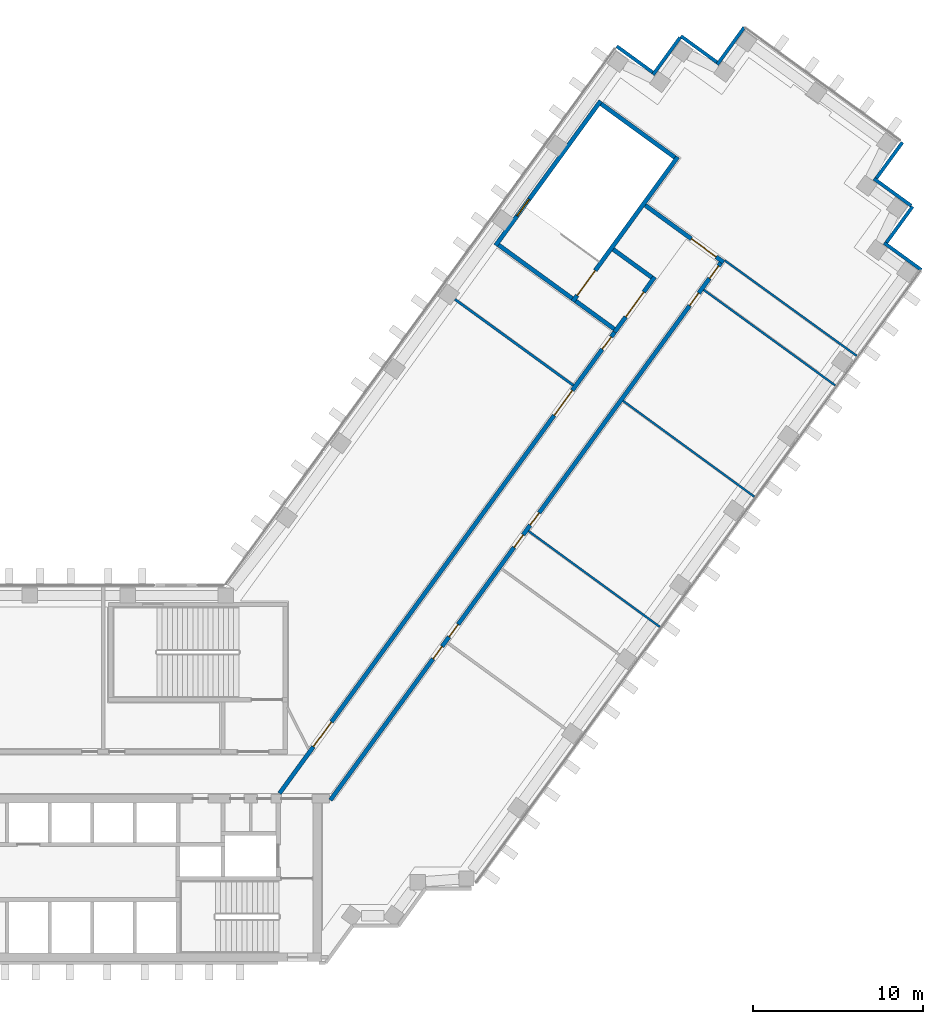
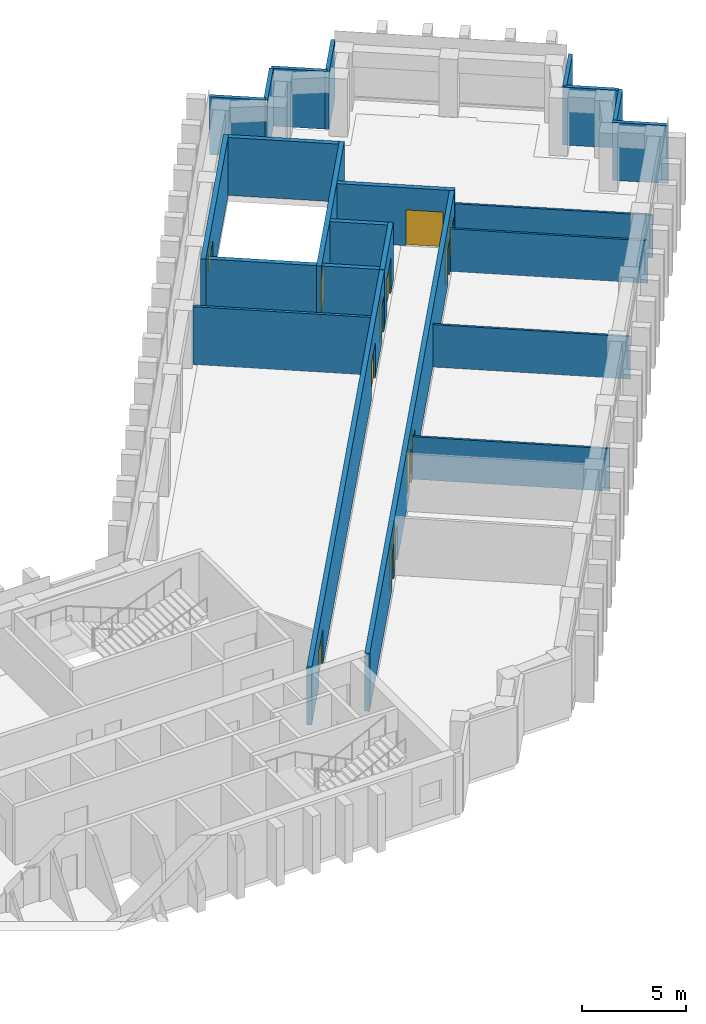
# One storey, part 8 of 12: 23 walls, 12 doors, 1 window, 13 openings.
"""IFC4 building model written with IfcOpenShell, lengths in metres."""

from ifc_helpers import new_model, si_unit, direction, frame, frame_2d, origin, place, context, subcontext, project, spatial, rectangle, extrude, material, layer, layer_set, type_object, element, fill, save


model = new_model("IFC4")

# Units and contexts
model_context = context("Model", 3, precision=1e-05, world=origin(), true_north=direction((0.0, 1.0)))
body_context = subcontext(model_context, "Body", "Model", "MODEL_VIEW")
ifc_project = project(units=[si_unit("LENGTHUNIT", "METRE"), si_unit("AREAUNIT", "SQUARE_METRE"), si_unit("VOLUMEUNIT", "CUBIC_METRE"), si_unit("PLANEANGLEUNIT", "RADIAN"), si_unit("MASSUNIT", "GRAM", prefix="KILO")], contexts=[model_context])

# Site, building, storey
site_placement = place(None, origin())
site = spatial("IfcSite", under=ifc_project, at=site_placement, CompositionType="ELEMENT")
building_placement = place(site_placement, origin())
building = spatial("IfcBuilding", under=site, at=building_placement, Name="Quipu Civic Tower", CompositionType="ELEMENT")
storey_placement = place(building_placement, frame((0.0, 0.0, 75.0)))
storey = spatial("IfcBuildingStorey", under=building, at=storey_placement, Name="L17", CompositionType="ELEMENT", Elevation=75.0)

# Wall
ifc_material_1 = material(Name="Double gypsum plasterboard with mineral wool")
ifc_layer_1 = layer(ifc_material_1, 0.14990234375)
ifc_layer_set_1 = layer_set([ifc_layer_1], Name="Double gypsum plasterboard with mineral wool")
wall_type_1 = type_object("IfcWallType", Name="Acoustic partition 150 plasterboard", PredefinedType="PARTITIONING", material=ifc_layer_set_1)
wall_1_placement = place(storey_placement, frame((34.80615234375, 22.8447265625, 0.0), z_axis=(0.0, 0.0, 1.0), x_axis=(-0.809030728677, 0.587766348183, 0.0)))
element("IfcWall", 1, at=wall_1_placement, inside=storey, type_object=wall_type_1, Name="Partition P10", PredefinedType="PARTITIONING", context=body_context, shape_type="SweptSolid", body=[
    extrude(rectangle(XDim=8.596435546875, YDim=0.14990234375, at=frame_2d((4.29833984375, 0.0))), origin(), (0.0, 0.0, 1.0), 3.39990234375),
])

# Wall, opening, door
ifc_material_2 = material(Name="Concrete C70/85", Category="concrete")
ifc_layer_2 = layer(ifc_material_2, 0.25)
ifc_layer_set_2 = layer_set([ifc_layer_2], Name="Concrete C70/85")
wall_type_2 = type_object("IfcWallType", Name="Core wall 250", PredefinedType="SHEAR", material=ifc_layer_set_2)
wall_2_placement = place(storey_placement, frame((37.237548828125, 25.979736328125, 0.0), z_axis=(0.0, 0.0, 1.0), x_axis=(0.587772420479, 0.809026317077, 0.0)))
wall_2 = element("IfcWall", 2, at=wall_2_placement, inside=storey, type_object=wall_type_2, Name="Core wall", PredefinedType="SHEAR", context=body_context, shape_type="SweptSolid", body=[
    extrude(rectangle(XDim=4.0, YDim=0.25, at=frame_2d((2.0, 0.0))), origin(), (0.0, 0.0, 1.0), 3.39990234375),
])
opening_1_placement = place(wall_2_placement, frame((1.10009765625, 0.0, 0.0)))
opening_1 = element("IfcOpeningElement", 3, at=opening_1_placement, cuts=wall_2, Name="Opening CD-21", PredefinedType="OPENING", context=body_context, shape_type="SweptSolid", body=[
    extrude(rectangle(XDim=1.800048828125, YDim=2.10009765625, at=frame_2d((0.89990234375, 1.050048828125))), frame((0.0, 0.135009765625, 0.0), z_axis=(0.0, -1.0, 0.0), x_axis=(1.0, 0.0, 0.0)), (0.0, 0.0, 1.0), 0.27001953125),
])
ifc_material_3 = material(Name="Fire rated steel door", Category="steel")
door_type_1 = type_object("IfcDoorType", Name="Fire door FD90 double 1800 x 2100", OperationType="NOTDEFINED", PredefinedType="DOOR", material=ifc_material_3)
door_1_placement = place(opening_1_placement, origin())
door_1 = element("IfcDoor", 4, at=door_1_placement, inside=storey, type_object=door_type_1, Name="Lobby door", OperationType="DOUBLE_DOOR_SINGLE_SWING", OverallHeight=2.10009765625, OverallWidth=1.800048828125, PredefinedType="DOOR", context=body_context, shape_type="SweptSolid", body=[
    extrude(rectangle(XDim=1.800048828125, YDim=2.10009765625, at=frame_2d((0.89990234375, 1.050048828125))), frame((0.0, 0.02490234375, 0.0), z_axis=(0.0, -1.0, 0.0), x_axis=(1.0, 0.0, 0.0)), (0.0, 0.0, 1.0), 0.050048828125),
])
fill(opening_1, door_1)

# Walls
for number, where, z_axis, x_axis, name in (
    (5, (37.2099609375, 26.154296875, 0.0), (0.0, 0.0, 1.0), (-0.809041377956, 0.587751689708, 0.0), "Core wall"),
    (6, (39.4140625, 29.18798828125, 0.0), (0.0, 0.0, 1.0), (-0.808969789945, 0.58785021813, 0.0), "Core wall"),
):
    element("IfcWall", number, at=place(storey_placement, frame(where, z_axis=z_axis, x_axis=x_axis)), inside=storey, type_object=wall_type_2, Name=name, PredefinedType="SHEAR", context=body_context, shape_type="SweptSolid", body=[
        extrude(rectangle(XDim=2.800048828125, YDim=0.25, at=frame_2d((1.39990234375, 0.0))), origin(), (0.0, 0.0, 1.0), 3.39990234375),
    ])

# Wall, opening, door
wall_3_placement = place(storey_placement, frame((34.77001953125, 27.7724609375, 0.0), z_axis=(0.0, 0.0, 1.0), x_axis=(0.587795589702, 0.809009483706, 0.0)))
wall_3 = element("IfcWall", 7, at=wall_3_placement, inside=storey, type_object=wall_type_2, Name="Core wall", PredefinedType="SHEAR", context=body_context, shape_type="SweptSolid", body=[
    extrude(rectangle(XDim=10.5, YDim=0.25, at=frame_2d((5.25, 0.0))), origin(), (0.0, 0.0, 1.0), 3.39990234375),
])
opening_2_placement = place(wall_3_placement, frame((0.449951171875, 0.0, 0.0)))
opening_2 = element("IfcOpeningElement", 8, at=opening_2_placement, cuts=wall_3, Name="Opening CD-22", PredefinedType="OPENING", context=body_context, shape_type="SweptSolid", body=[
    extrude(rectangle(XDim=1.800048828125, YDim=2.10009765625, at=frame_2d((0.89990234375, 1.050048828125))), frame((0.0, 0.135009765625, 0.0), z_axis=(0.0, -1.0, 0.0), x_axis=(1.0, 0.0, 0.0)), (0.0, 0.0, 1.0), 0.27001953125),
])
door_2_placement = place(opening_2_placement, origin())
door_2 = element("IfcDoor", 9, at=door_2_placement, inside=storey, type_object=door_type_1, Name="Door", OperationType="DOUBLE_DOOR_SINGLE_SWING", OverallHeight=2.10009765625, OverallWidth=1.800048828125, PredefinedType="DOOR", context=body_context, shape_type="SweptSolid", body=[
    extrude(rectangle(XDim=1.800048828125, YDim=2.10009765625, at=frame_2d((0.89990234375, 1.050048828125))), frame((0.0, 0.02490234375, 0.0), z_axis=(0.0, -1.0, 0.0), x_axis=(1.0, 0.0, 0.0)), (0.0, 0.0, 1.0), 0.050048828125),
])
fill(opening_2, door_2)

# Walls
wall_4_placement = place(storey_placement, frame((34.742431640625, 27.947021484375, 0.0), z_axis=(0.0, 0.0, 1.0), x_axis=(-0.8089984606, 0.587810760999, 0.0)))
element("IfcWall", 10, at=wall_4_placement, inside=storey, type_object=wall_type_2, Name="Core wall", PredefinedType="SHEAR", context=body_context, shape_type="SweptSolid", body=[
    extrude(rectangle(XDim=5.35009765625, YDim=0.25, at=frame_2d((2.675048828125, 0.0))), origin(), (0.0, 0.0, 1.0), 3.39990234375),
])
wall_5_placement = place(storey_placement, frame((40.76708984375, 36.239501953125, 0.0), z_axis=(0.0, 0.0, 1.0), x_axis=(-0.809020161303, 0.587780893365, 0.0)))
element("IfcWall", 11, at=wall_5_placement, inside=storey, type_object=wall_type_2, Name="Core wall", PredefinedType="SHEAR", context=body_context, shape_type="SweptSolid", body=[
    extrude(rectangle(XDim=5.349853515625, YDim=0.25, at=frame_2d((2.6748046875, 0.0))), origin(), (0.0, 0.0, 1.0), 3.39990234375),
])

# Wall, opening, window
wall_6_placement = place(storey_placement, frame((30.239501953125, 31.06396484375, 0.0), z_axis=(0.0, 0.0, 1.0), x_axis=(0.587795589702, 0.809009483706, 0.0)))
wall_6 = element("IfcWall", 12, at=wall_6_placement, inside=storey, type_object=wall_type_2, Name="Core wall", PredefinedType="SHEAR", context=body_context, shape_type="SweptSolid", body=[
    extrude(rectangle(XDim=10.5, YDim=0.25, at=frame_2d((5.25, 0.0))), origin(), (0.0, 0.0, 1.0), 3.39990234375),
])
opening_3_placement = place(wall_6_placement, frame((2.14990234375, 0.0, 1.0)))
opening_3 = element("IfcOpeningElement", 13, at=opening_3_placement, cuts=wall_6, Name="Opening SV-7", PredefinedType="OPENING", context=body_context, shape_type="SweptSolid", body=[
    extrude(rectangle(XDim=1.199951171875, YDim=1.199951171875, at=frame_2d((0.60009765625, 0.60009765625))), frame((0.0, 0.135009765625, 0.0), z_axis=(0.0, -1.0, 0.0), x_axis=(1.0, 0.0, 0.0)), (0.0, 0.0, 1.0), 0.27001953125),
])
ifc_material_4 = material(Name="Aluminium louvre", Category="aluminium")
window_type = type_object("IfcWindowType", Name="Stair ventilation louvre 1200 x 1200", PartitioningType="SINGLE_PANEL", PredefinedType="WINDOW", material=ifc_material_4)
window_placement = place(opening_3_placement, origin())
window = element("IfcWindow", 14, at=window_placement, inside=storey, type_object=window_type, Name="Stair ventilation opening", OverallHeight=1.199951171875, OverallWidth=1.199951171875, PartitioningType="SINGLE_PANEL", PredefinedType="WINDOW", context=body_context, shape_type="SweptSolid", body=[
    extrude(rectangle(XDim=1.199951171875, YDim=1.199951171875, at=frame_2d((0.60009765625, 0.60009765625))), frame((0.0, 0.030029296875, 0.0), z_axis=(0.0, -1.0, 0.0), x_axis=(1.0, 0.0, 0.0)), (0.0, 0.0, 1.0), 0.06005859375),
])
fill(opening_3, window)

# Wall, openings, doors
ifc_material_5 = material(Name="Concrete C50/60", Category="concrete")
ifc_layer_3 = layer(ifc_material_5, 0.25)
ifc_layer_set_3 = layer_set([ifc_layer_3], Name="Concrete C50/60")
wall_type_3 = type_object("IfcWallType", Name="Corridor wall 250 concrete", PredefinedType="SOLIDWALL", material=ifc_layer_set_3)
wall_7_placement = place(storey_placement, frame((17.544921875, -1.124755859375, 0.0), z_axis=(0.0, 0.0, 1.0), x_axis=(0.587786323093, 0.809016216391, 0.0)))
wall_7 = element("IfcWall", 15, at=wall_7_placement, inside=storey, type_object=wall_type_3, Name="Corridor wall C06", PredefinedType="SOLIDWALL", context=body_context, shape_type="SweptSolid", body=[
    extrude(rectangle(XDim=33.4931640625, YDim=0.25, at=frame_2d((16.74658203125, 0.0))), origin(), (0.0, 0.0, 1.0), 3.39990234375),
])
opening_4_placement = place(wall_7_placement, frame((27.4580078125, 0.0, 0.0)))
opening_4 = element("IfcOpeningElement", 16, at=opening_4_placement, cuts=wall_7, Name="Opening D001", PredefinedType="OPENING", context=body_context, shape_type="SweptSolid", body=[
    extrude(rectangle(XDim=1.800048828125, YDim=2.10009765625, at=frame_2d((0.89990234375, 1.050048828125))), frame((0.0, 0.135009765625, 0.0), z_axis=(0.0, -1.0, 0.0), x_axis=(1.0, 0.0, 0.0)), (0.0, 0.0, 1.0), 0.27001953125),
])
opening_5_placement = place(wall_7_placement, frame((3.39208984375, 0.0, 0.0)))
opening_5 = element("IfcOpeningElement", 17, at=opening_5_placement, cuts=wall_7, Name="Opening D002", PredefinedType="OPENING", context=body_context, shape_type="SweptSolid", body=[
    extrude(rectangle(XDim=1.800048828125, YDim=2.10009765625, at=frame_2d((0.89990234375, 1.050048828125))), frame((0.0, 0.135009765625, 0.0), z_axis=(0.0, -1.0, 0.0), x_axis=(1.0, 0.0, 0.0)), (0.0, 0.0, 1.0), 0.27001953125),
])
opening_6_placement = place(wall_7_placement, frame((32.2529296875, 0.0, 0.0)))
opening_6 = element("IfcOpeningElement", 18, at=opening_6_placement, cuts=wall_7, Name="Opening D003", PredefinedType="OPENING", context=body_context, shape_type="SweptSolid", body=[
    extrude(rectangle(XDim=0.89990234375, YDim=2.10009765625, at=frame_2d((0.449951171875, 1.050048828125))), frame((0.0, 0.135009765625, 0.0), z_axis=(0.0, -1.0, 0.0), x_axis=(1.0, 0.0, 0.0)), (0.0, 0.0, 1.0), 0.27001953125),
])
ifc_material_6 = material(Name="Fire rated timber door set with metal frame", Category="wood")
door_type_2 = type_object("IfcDoorType", Name="Double door 1800 x 2100 FD60", OperationType="DOUBLE_DOOR_SINGLE_SWING", PredefinedType="DOOR", material=ifc_material_6)
door_3_placement = place(opening_4_placement, origin())
door_3 = element("IfcDoor", 19, at=door_3_placement, inside=storey, type_object=door_type_2, Name="Door D001", OperationType="DOUBLE_DOOR_SINGLE_SWING", OverallHeight=2.10009765625, OverallWidth=1.800048828125, PredefinedType="DOOR", context=body_context, shape_type="SweptSolid", body=[
    extrude(rectangle(XDim=1.800048828125, YDim=2.10009765625, at=frame_2d((0.89990234375, 1.050048828125))), frame((0.0, 0.02490234375, 0.0), z_axis=(0.0, -1.0, 0.0), x_axis=(1.0, 0.0, 0.0)), (0.0, 0.0, 1.0), 0.050048828125),
])
fill(opening_4, door_3)
door_4_placement = place(opening_5_placement, origin())
door_4 = element("IfcDoor", 20, at=door_4_placement, inside=storey, type_object=door_type_2, Name="Door D002", OperationType="DOUBLE_DOOR_SINGLE_SWING", OverallHeight=2.10009765625, OverallWidth=1.800048828125, PredefinedType="DOOR", context=body_context, shape_type="SweptSolid", body=[
    extrude(rectangle(XDim=1.800048828125, YDim=2.10009765625, at=frame_2d((0.89990234375, 1.050048828125))), frame((0.0, 0.02490234375, 0.0), z_axis=(0.0, -1.0, 0.0), x_axis=(1.0, 0.0, 0.0)), (0.0, 0.0, 1.0), 0.050048828125),
])
fill(opening_5, door_4)
ifc_material_7 = material(Name="Fire rated timber door set with metal frame", Category="wood")
door_type_3 = type_object("IfcDoorType", Name="Single door 900 x 2100 FD60", OperationType="NOTDEFINED", PredefinedType="DOOR", material=ifc_material_7)
door_5_placement = place(opening_6_placement, origin())
door_5 = element("IfcDoor", 21, at=door_5_placement, inside=storey, type_object=door_type_3, Name="Door D003", OperationType="SINGLE_SWING_RIGHT", OverallHeight=2.10009765625, OverallWidth=0.89990234375, PredefinedType="DOOR", context=body_context, shape_type="SweptSolid", body=[
    extrude(rectangle(XDim=0.89990234375, YDim=2.10009765625, at=frame_2d((0.449951171875, 1.050048828125))), frame((0.0, 0.02490234375, 0.0), z_axis=(0.0, -1.0, 0.0), x_axis=(1.0, 0.0, 0.0)), (0.0, 0.0, 1.0), 0.050048828125),
])
fill(opening_6, door_5)

# Wall, opening, door
wall_8_placement = place(storey_placement, frame((39.03369140625, 33.419921875, 0.0), z_axis=(0.0, 0.0, 1.0), x_axis=(0.809023325802, -0.587776537732, 0.0)))
wall_8 = element("IfcWall", 22, at=wall_8_placement, inside=storey, type_object=wall_type_3, Name="Corridor wall C07", PredefinedType="SOLIDWALL", context=body_context, shape_type="SweptSolid", body=[
    extrude(rectangle(XDim=5.695068359375, YDim=0.25, at=frame_2d((2.84765625, 0.0))), origin(), (0.0, 0.0, 1.0), 3.39990234375),
])
opening_7_placement = place(wall_8_placement, frame((3.34521484375, 0.0, 0.0)))
opening_7 = element("IfcOpeningElement", 23, at=opening_7_placement, cuts=wall_8, Name="Opening D010", PredefinedType="OPENING", context=body_context, shape_type="SweptSolid", body=[
    extrude(rectangle(XDim=1.800048828125, YDim=2.10009765625, at=frame_2d((0.89990234375, 1.050048828125))), frame((0.0, 0.135009765625, 0.0), z_axis=(0.0, -1.0, 0.0), x_axis=(1.0, 0.0, 0.0)), (0.0, 0.0, 1.0), 0.27001953125),
])
door_6_placement = place(opening_7_placement, origin())
door_6 = element("IfcDoor", 24, at=door_6_placement, inside=storey, type_object=door_type_2, Name="Door D010", OperationType="DOUBLE_DOOR_SINGLE_SWING", OverallHeight=2.10009765625, OverallWidth=1.800048828125, PredefinedType="DOOR", context=body_context, shape_type="SweptSolid", body=[
    extrude(rectangle(XDim=1.800048828125, YDim=2.10009765625, at=frame_2d((0.89990234375, 1.050048828125))), frame((0.0, 0.02490234375, 0.0), z_axis=(0.0, -1.0, 0.0), x_axis=(1.0, 0.0, 0.0)), (0.0, 0.0, 1.0), 0.050048828125),
])
fill(opening_7, door_6)

# Wall, openings, doors
wall_9_placement = place(storey_placement, frame((43.466552734375, 30.044677734375, 0.0), z_axis=(0.0, 0.0, 1.0), x_axis=(-0.587784726077, -0.809017376692, 0.0)))
wall_9 = element("IfcWall", 25, at=wall_9_placement, inside=storey, type_object=wall_type_3, Name="Corridor wall C08", PredefinedType="SOLIDWALL", context=body_context, shape_type="SweptSolid", body=[
    extrude(rectangle(XDim=39.020263671875, YDim=0.25, at=frame_2d((19.51025390625, 0.0))), origin(), (0.0, 0.0, 1.0), 3.39990234375),
])
opening_8_placement = place(wall_9_placement, frame((26.25439453125, 0.0, 0.0)))
opening_8 = element("IfcOpeningElement", 26, at=opening_8_placement, cuts=wall_9, Name="Opening D005", PredefinedType="OPENING", context=body_context, shape_type="SweptSolid", body=[
    extrude(rectangle(XDim=0.89990234375, YDim=2.10009765625, at=frame_2d((0.449951171875, 1.050048828125))), frame((0.0, 0.135009765625, 0.0), z_axis=(0.0, -1.0, 0.0), x_axis=(1.0, 0.0, 0.0)), (0.0, 0.0, 1.0), 0.27001953125),
])
opening_9_placement = place(wall_9_placement, frame((2.205322265625, 0.0, 0.0)))
opening_9 = element("IfcOpeningElement", 27, at=opening_9_placement, cuts=wall_9, Name="Opening D008", PredefinedType="OPENING", context=body_context, shape_type="SweptSolid", body=[
    extrude(rectangle(XDim=0.89990234375, YDim=2.10009765625, at=frame_2d((0.449951171875, 1.050048828125))), frame((0.0, 0.135009765625, 0.0), z_axis=(0.0, -1.0, 0.0), x_axis=(1.0, 0.0, 0.0)), (0.0, 0.0, 1.0), 0.27001953125),
])
opening_10_placement = place(wall_9_placement, frame((27.854736328125, 0.0, 0.0)))
opening_10 = element("IfcOpeningElement", 28, at=opening_10_placement, cuts=wall_9, Name="Opening D004", PredefinedType="OPENING", context=body_context, shape_type="SweptSolid", body=[
    extrude(rectangle(XDim=0.89990234375, YDim=2.10009765625, at=frame_2d((0.449951171875, 1.050048828125))), frame((0.0, 0.135009765625, 0.0), z_axis=(0.0, -1.0, 0.0), x_axis=(1.0, 0.0, 0.0)), (0.0, 0.0, 1.0), 0.27001953125),
])
opening_11_placement = place(wall_9_placement, frame((18.154541015625, 0.0, 0.0)))
opening_11 = element("IfcOpeningElement", 29, at=opening_11_placement, cuts=wall_9, Name="Opening D007", PredefinedType="OPENING", context=body_context, shape_type="SweptSolid", body=[
    extrude(rectangle(XDim=0.89990234375, YDim=2.10009765625, at=frame_2d((0.449951171875, 1.050048828125))), frame((0.0, 0.135009765625, 0.0), z_axis=(0.0, -1.0, 0.0), x_axis=(1.0, 0.0, 0.0)), (0.0, 0.0, 1.0), 0.27001953125),
])
opening_12_placement = place(wall_9_placement, frame((19.7548828125, 0.0, 0.0)))
opening_12 = element("IfcOpeningElement", 30, at=opening_12_placement, cuts=wall_9, Name="Opening D006", PredefinedType="OPENING", context=body_context, shape_type="SweptSolid", body=[
    extrude(rectangle(XDim=0.89990234375, YDim=2.10009765625, at=frame_2d((0.449951171875, 1.050048828125))), frame((0.0, 0.135009765625, 0.0), z_axis=(0.0, -1.0, 0.0), x_axis=(1.0, 0.0, 0.0)), (0.0, 0.0, 1.0), 0.27001953125),
])
opening_13_placement = place(wall_9_placement, frame((0.224365234375, 0.0, 0.0)))
opening_13 = element("IfcOpeningElement", 31, at=opening_13_placement, cuts=wall_9, Name="Opening D009", PredefinedType="OPENING", context=body_context, shape_type="SweptSolid", body=[
    extrude(rectangle(XDim=0.89990234375, YDim=2.10009765625, at=frame_2d((0.449951171875, 1.050048828125))), frame((0.0, 0.135009765625, 0.0), z_axis=(0.0, -1.0, 0.0), x_axis=(1.0, 0.0, 0.0)), (0.0, 0.0, 1.0), 0.27001953125),
])
door_7_placement = place(opening_8_placement, origin())
door_7 = element("IfcDoor", 32, at=door_7_placement, inside=storey, type_object=door_type_3, Name="Door D005", OperationType="SINGLE_SWING_RIGHT", OverallHeight=2.10009765625, OverallWidth=0.89990234375, PredefinedType="DOOR", context=body_context, shape_type="SweptSolid", body=[
    extrude(rectangle(XDim=0.89990234375, YDim=2.10009765625, at=frame_2d((0.449951171875, 1.050048828125))), frame((0.0, 0.02490234375, 0.0), z_axis=(0.0, -1.0, 0.0), x_axis=(1.0, 0.0, 0.0)), (0.0, 0.0, 1.0), 0.050048828125),
])
fill(opening_8, door_7)
door_8_placement = place(opening_9_placement, origin())
door_8 = element("IfcDoor", 33, at=door_8_placement, inside=storey, type_object=door_type_3, Name="Door D008", OperationType="SINGLE_SWING_LEFT", OverallHeight=2.10009765625, OverallWidth=0.89990234375, PredefinedType="DOOR", context=body_context, shape_type="SweptSolid", body=[
    extrude(rectangle(XDim=0.89990234375, YDim=2.10009765625, at=frame_2d((0.449951171875, 1.050048828125))), frame((0.0, 0.02490234375, 0.0), z_axis=(0.0, -1.0, 0.0), x_axis=(1.0, 0.0, 0.0)), (0.0, 0.0, 1.0), 0.050048828125),
])
fill(opening_9, door_8)
door_9_placement = place(opening_10_placement, origin())
door_9 = element("IfcDoor", 34, at=door_9_placement, inside=storey, type_object=door_type_3, Name="Door D004", OperationType="SINGLE_SWING_LEFT", OverallHeight=2.10009765625, OverallWidth=0.89990234375, PredefinedType="DOOR", context=body_context, shape_type="SweptSolid", body=[
    extrude(rectangle(XDim=0.89990234375, YDim=2.10009765625, at=frame_2d((0.449951171875, 1.050048828125))), frame((0.0, 0.02490234375, 0.0), z_axis=(0.0, -1.0, 0.0), x_axis=(1.0, 0.0, 0.0)), (0.0, 0.0, 1.0), 0.050048828125),
])
fill(opening_10, door_9)
door_10_placement = place(opening_11_placement, origin())
door_10 = element("IfcDoor", 35, at=door_10_placement, inside=storey, type_object=door_type_3, Name="Door D007", OperationType="SINGLE_SWING_RIGHT", OverallHeight=2.10009765625, OverallWidth=0.89990234375, PredefinedType="DOOR", context=body_context, shape_type="SweptSolid", body=[
    extrude(rectangle(XDim=0.89990234375, YDim=2.10009765625, at=frame_2d((0.449951171875, 1.050048828125))), frame((0.0, 0.02490234375, 0.0), z_axis=(0.0, -1.0, 0.0), x_axis=(1.0, 0.0, 0.0)), (0.0, 0.0, 1.0), 0.050048828125),
])
fill(opening_11, door_10)
door_11_placement = place(opening_12_placement, origin())
door_11 = element("IfcDoor", 36, at=door_11_placement, inside=storey, type_object=door_type_3, Name="Door D006", OperationType="SINGLE_SWING_LEFT", OverallHeight=2.10009765625, OverallWidth=0.89990234375, PredefinedType="DOOR", context=body_context, shape_type="SweptSolid", body=[
    extrude(rectangle(XDim=0.89990234375, YDim=2.10009765625, at=frame_2d((0.449951171875, 1.050048828125))), frame((0.0, 0.02490234375, 0.0), z_axis=(0.0, -1.0, 0.0), x_axis=(1.0, 0.0, 0.0)), (0.0, 0.0, 1.0), 0.050048828125),
])
fill(opening_12, door_11)
door_12_placement = place(opening_13_placement, origin())
door_12 = element("IfcDoor", 37, at=door_12_placement, inside=storey, type_object=door_type_3, Name="Door D009", OperationType="SINGLE_SWING_LEFT", OverallHeight=2.10009765625, OverallWidth=0.89990234375, PredefinedType="DOOR", context=body_context, shape_type="SweptSolid", body=[
    extrude(rectangle(XDim=0.89990234375, YDim=2.10009765625, at=frame_2d((0.449951171875, 1.050048828125))), frame((0.0, 0.02490234375, 0.0), z_axis=(0.0, -1.0, 0.0), x_axis=(1.0, 0.0, 0.0)), (0.0, 0.0, 1.0), 0.050048828125),
])
fill(opening_13, door_12)

# Walls
ifc_material_8 = material(Name="Gypsum plasterboard on light gauge framing")
ifc_layer_4 = layer(ifc_material_8, 0.1201171875)
ifc_layer_set_4 = layer_set([ifc_layer_4], Name="Gypsum plasterboard on light gauge framing")
wall_type_4 = type_object("IfcWallType", Name="Partition 120 plasterboard", PredefinedType="PARTITIONING", material=ifc_layer_set_4)
wall_10_placement = place(storey_placement, frame((37.727783203125, 21.93408203125, 0.0), z_axis=(0.0, 0.0, 1.0), x_axis=(0.807645841498, -0.589667868135, 0.0)))
element("IfcWall", 38, at=wall_10_placement, inside=storey, type_object=wall_type_4, Name="Partition P03", PredefinedType="PARTITIONING", context=body_context, shape_type="SweptSolid", body=[
    extrude(rectangle(XDim=9.550537109375, YDim=0.1201171875, at=frame_2d((4.775390625, 0.0))), origin(), (0.0, 0.0, 1.0), 2.5),
])
wall_11_placement = place(storey_placement, frame((50.19189453125, 22.84130859375, 0.0), z_axis=(0.0, 0.0, 1.0), x_axis=(-0.809033337127, 0.587762757767, 0.0)))
element("IfcWall", 39, at=wall_11_placement, inside=storey, type_object=wall_type_4, Name="Partition P04", PredefinedType="PARTITIONING", context=body_context, shape_type="SweptSolid", body=[
    extrude(rectangle(XDim=9.55078125, YDim=0.1201171875, at=frame_2d((4.775390625, 0.0))), origin(), (0.0, 0.0, 1.0), 2.5),
])
wall_12_placement = place(storey_placement, frame((43.698486328125, 30.185302734375, 0.0), z_axis=(0.0, 0.0, 1.0), x_axis=(0.810419489461, -0.58585002441, 0.0)))
element("IfcWall", 40, at=wall_12_placement, inside=storey, type_object=wall_type_4, Name="Partition P14", PredefinedType="PARTITIONING", context=body_context, shape_type="SweptSolid", body=[
    extrude(rectangle(XDim=9.570068359375, YDim=0.1201171875, at=frame_2d((4.78515625, 0.0))), origin(), (0.0, 0.0, 1.0), 2.5),
])
wall_13_placement = place(storey_placement, frame((32.173828125, 14.2880859375, 0.0), z_axis=(0.0, 0.0, 1.0), x_axis=(0.807664588563, -0.589642190131, 0.0)))
element("IfcWall", 41, at=wall_13_placement, inside=storey, type_object=wall_type_4, Name="Partition P15", PredefinedType="PARTITIONING", context=body_context, shape_type="SweptSolid", body=[
    extrude(rectangle(XDim=9.549560546875, YDim=0.1201171875, at=frame_2d((4.77490234375, 0.0))), origin(), (0.0, 0.0, 1.0), 2.5),
])
ifc_material_9 = material(Name="Precast concrete C40/50", Category="concrete")
wall_type_5 = type_object("IfcWallType", Name="Precast cladding wall", PredefinedType="SOLIDWALL", material=ifc_material_9)
wall_14_placement = place(storey_placement, frame((55.2470703125, 29.62890625, 0.0), z_axis=(0.0, 0.0, 1.0), x_axis=(-0.809033161865, 0.587762999008, 0.0)))
element("IfcWall", 42, at=wall_14_placement, inside=storey, type_object=wall_type_5, Name="Precast cladding wall L17 P22", PredefinedType="SOLIDWALL", context=body_context, shape_type="SweptSolid", body=[
    extrude(rectangle(XDim=2.699951171875, YDim=0.199951171875, at=frame_2d((1.35009765625, 0.0))), origin(), (0.0, 0.0, 1.0), 3.39990234375),
])
wall_15_placement = place(storey_placement, frame((53.150634765625, 31.166748046875, 0.0), z_axis=(0.0, 0.0, 1.0), x_axis=(0.587779184282, 0.809021403008, 0.0)))
element("IfcWall", 43, at=wall_15_placement, inside=storey, type_object=wall_type_5, Name="Precast cladding wall L17 P23", PredefinedType="SOLIDWALL", context=body_context, shape_type="SweptSolid", body=[
    extrude(rectangle(XDim=2.7001953125, YDim=0.199951171875, at=frame_2d((1.35009765625, 0.0))), origin(), (0.0, 0.0, 1.0), 3.39990234375),
])
for number, where, z_axis, x_axis, name in (
    (44, (54.649658203125, 33.400390625, 0.0), (0.0, 0.0, 1.0), (-0.809033161865, 0.587762999008, 0.0), "Precast cladding wall L17 P24"),
    (45, (52.55322265625, 34.938232421875, 0.0), (0.0, 0.0, 1.0), (0.587822180636, 0.808990163075, 0.0), "Precast cladding wall L17 P25"),
    (46, (44.846435546875, 43.875, 0.0), (0.0, 0.0, 1.0), (-0.587822180636, -0.808990163075, 0.0), "Precast cladding wall L17 P27"),
    (47, (43.308349609375, 41.77880859375, 0.0), (0.0, 0.0, 1.0), (-0.809033161865, 0.587762999008, 0.0), "Precast cladding wall L17 P28"),
):
    element("IfcWall", number, at=place(storey_placement, frame(where, z_axis=z_axis, x_axis=x_axis)), inside=storey, type_object=wall_type_5, Name=name, PredefinedType="SOLIDWALL", context=body_context, shape_type="SweptSolid", body=[
        extrude(rectangle(XDim=2.699951171875, YDim=0.199951171875, at=frame_2d((1.35009765625, 0.0))), origin(), (0.0, 0.0, 1.0), 3.39990234375),
    ])
wall_16_placement = place(storey_placement, frame((41.074951171875, 43.277587890625, 0.0), z_axis=(0.0, 0.0, 1.0), x_axis=(-0.587806000234, -0.809001919707, 0.0)))
element("IfcWall", 48, at=wall_16_placement, inside=storey, type_object=wall_type_5, Name="Precast cladding wall L17 P29", PredefinedType="SOLIDWALL", context=body_context, shape_type="SweptSolid", body=[
    extrude(rectangle(XDim=2.69970703125, YDim=0.199951171875, at=frame_2d((1.349853515625, 0.0))), origin(), (0.0, 0.0, 1.0), 3.39990234375),
])
wall_17_placement = place(storey_placement, frame((39.537109375, 41.181396484375, 0.0), z_axis=(0.0, 0.0, 1.0), x_axis=(-0.809033161865, 0.587762999008, 0.0)))
element("IfcWall", 49, at=wall_17_placement, inside=storey, type_object=wall_type_5, Name="Precast cladding wall L17 P30", PredefinedType="SOLIDWALL", context=body_context, shape_type="SweptSolid", body=[
    extrude(rectangle(XDim=2.699951171875, YDim=0.199951171875, at=frame_2d((1.35009765625, 0.0))), origin(), (0.0, 0.0, 1.0), 3.39990234375),
])

save(model, "model.ifc")
